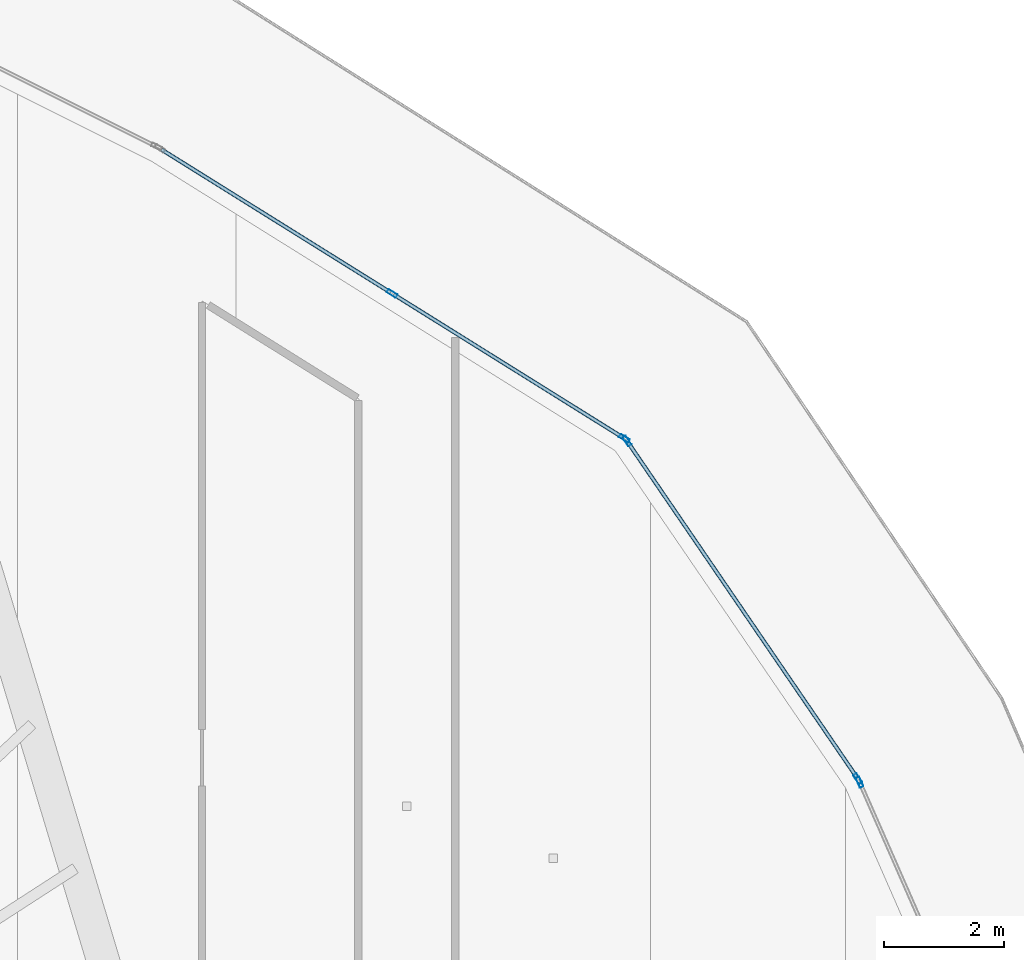
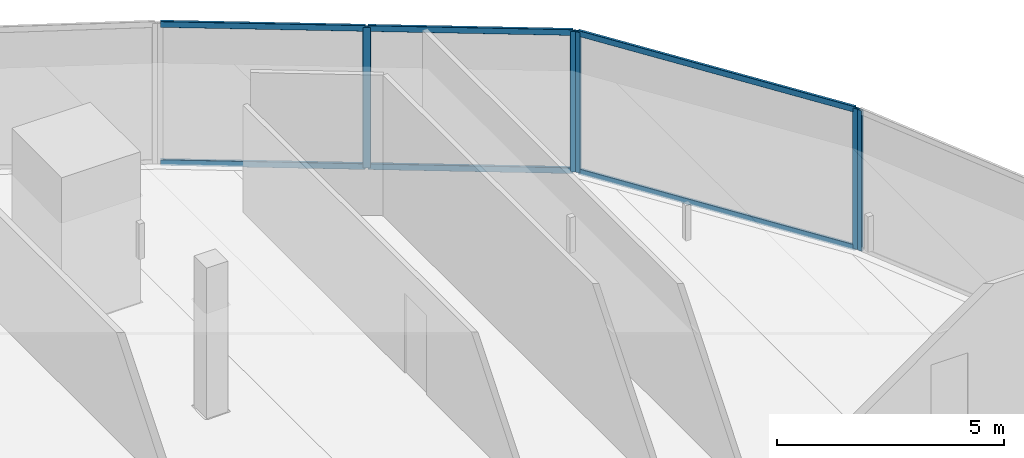
# One storey, part 21 of 35: 11 members, 3 elements without a shape of their own.
"""IFC4 building model written with IfcOpenShell, lengths in metres."""

from ifc_helpers import new_model, si_unit, direction, frame, origin, origin_2d, place, context, subcontext, project, spatial, hollow_rectangle, extrude, material, layer, layer_set, material_profile, profile_set, type_object, element, aggregate, save


model = new_model("IFC4")

# Units and contexts
model_context = context("Model", 3, precision=1e-05, world=origin(), true_north=direction((0.0, 1.0)))
body_context = subcontext(model_context, "Body", "Model", "MODEL_VIEW")
ifc_project = project(units=[si_unit("LENGTHUNIT", "METRE"), si_unit("AREAUNIT", "SQUARE_METRE"), si_unit("VOLUMEUNIT", "CUBIC_METRE"), si_unit("PLANEANGLEUNIT", "RADIAN"), si_unit("MASSUNIT", "GRAM", prefix="KILO")], contexts=[model_context])

# Site, building, storey
site_placement = place(None, origin())
site = spatial("IfcSite", under=ifc_project, at=site_placement, CompositionType="ELEMENT")
building_placement = place(site_placement, origin())
building = spatial("IfcBuilding", under=site, at=building_placement, Name="Qorvath Tower", CompositionType="ELEMENT")
storey_placement = place(building_placement, frame((0.0, 0.0, 130.050048828125)))
storey = spatial("IfcBuildingStorey", under=building, at=storey_placement, Name="L29", CompositionType="ELEMENT", Elevation=130.050048828125)

# Curtain wall, member
ifc_material_1 = material(Name="Anodised aluminium and triple low-E glass", Category="aluminium")
ifc_layer = layer(ifc_material_1, 0.179931640625)
ifc_layer_set = layer_set([ifc_layer], Name="CW-SYS-2")
curtain_wall_type = type_object("IfcCurtainWallType", Name="CW-SYS-2", PredefinedType="NOTDEFINED", material=ifc_layer_set)
curtain_wall_1_placement = place(storey_placement, origin())
curtain_wall_1 = element("IfcCurtainWall", 1, at=curtain_wall_1_placement, inside=storey, type_object=curtain_wall_type, Name="Curtain Wall CW-2 CW-T-L29-12.1", PredefinedType="NOTDEFINED")
ifc_material_2 = material(Name="Anodised aluminium 6063-T6", Category="aluminium")
ifc_material_profile_1 = material_profile(ifc_material_2, hollow_rectangle(XDim=0.06494140625, YDim=0.179931640625, WallThickness=0.00341796875, InnerFilletRadius=0.00341796875, OuterFilletRadius=0.007080078125, at=origin_2d()), Name="CWM 180x65")
ifc_profile_set_1 = profile_set([ifc_material_profile_1], Name="Anodised aluminium 6063-T6")
member_type_1 = type_object("IfcMemberType", Name="CWM-180", PredefinedType="MULLION", material=ifc_profile_set_1)
member_1_placement = place(storey_placement, frame((0.38525390625, 17.982666015625, 0.0), z_axis=(0.0, 0.0, 1.0), x_axis=(-0.915793818987, -0.401648703602, 0.0)))
member_1 = element("IfcMember", 2, at=member_1_placement, type_object=member_type_1, Name="CW-2 mullion 2", PredefinedType="MULLION", context=body_context, shape_type="SweptSolid", body=[
    extrude(hollow_rectangle(XDim=0.06494140625, YDim=0.179931640625, WallThickness=0.00341796875, InnerFilletRadius=0.00341796875, OuterFilletRadius=0.007080078125, at=origin_2d()), origin(), (0.0, 0.0, 1.0), 3.780029296875),
])
aggregate(curtain_wall_1, [member_1])

# Curtain wall, members
curtain_wall_2_placement = place(storey_placement, origin())
curtain_wall_2 = element("IfcCurtainWall", 3, at=curtain_wall_2_placement, inside=storey, type_object=curtain_wall_type, Name="Curtain Wall CW-2 CW-T-L29-13.1", PredefinedType="NOTDEFINED")
member_2_placement = place(storey_placement, frame((0.35400390625, 18.039306640625, 0.0), z_axis=(0.0, 0.0, 1.0), x_axis=(-0.825662865244, -0.564163835208, 0.0)))
member_2 = element("IfcMember", 4, at=member_2_placement, type_object=member_type_1, Name="CW-2 mullion 1", PredefinedType="MULLION", context=body_context, shape_type="SweptSolid", body=[
    extrude(hollow_rectangle(XDim=0.06494140625, YDim=0.179931640625, WallThickness=0.00341796875, InnerFilletRadius=0.00341796875, OuterFilletRadius=0.007080078125, at=origin_2d()), origin(), (0.0, 0.0, 1.0), 3.780029296875),
])
member_3_placement = place(storey_placement, frame((-3.5029296875, 23.683837890625, 0.0), z_axis=(0.0, 0.0, 1.0), x_axis=(-0.825662865244, -0.564163835208, 0.0)))
member_3 = element("IfcMember", 5, at=member_3_placement, type_object=member_type_1, Name="CW-2 mullion 2", PredefinedType="MULLION", context=body_context, shape_type="SweptSolid", body=[
    extrude(hollow_rectangle(XDim=0.06494140625, YDim=0.179931640625, WallThickness=0.00341796875, InnerFilletRadius=0.00341796875, OuterFilletRadius=0.007080078125, at=origin_2d()), origin(), (0.0, 0.0, 1.0), 3.780029296875),
])

curtain_wall_3_placement = place(storey_placement, origin())
curtain_wall_3 = element("IfcCurtainWall", 6, at=curtain_wall_3_placement, inside=storey, type_object=curtain_wall_type, Name="Curtain Wall CW-2 CW-T-L29-14.1", PredefinedType="NOTDEFINED")
member_4_placement = place(storey_placement, frame((-3.548828125, 23.72802734375, 0.0), z_axis=(0.0, 0.0, 1.0), x_axis=(-0.529503324069, -0.84830786263, 0.0)))
member_4 = element("IfcMember", 7, at=member_4_placement, type_object=member_type_1, Name="CW-2 mullion 1", PredefinedType="MULLION", context=body_context, shape_type="SweptSolid", body=[
    extrude(hollow_rectangle(XDim=0.06494140625, YDim=0.179931640625, WallThickness=0.00341796875, InnerFilletRadius=0.00341796875, OuterFilletRadius=0.007080078125, at=origin_2d()), origin(), (0.0, 0.0, 1.0), 3.780029296875),
])
member_5_placement = place(storey_placement, frame((-7.4296875, 26.150390625, 0.0), z_axis=(0.0, 0.0, 1.0), x_axis=(-0.529503324069, -0.84830786263, 0.0)))
member_5 = element("IfcMember", 8, at=member_5_placement, type_object=member_type_1, Name="CW-2 mullion 2", PredefinedType="MULLION", context=body_context, shape_type="SweptSolid", body=[
    extrude(hollow_rectangle(XDim=0.06494140625, YDim=0.179931640625, WallThickness=0.00341796875, InnerFilletRadius=0.00341796875, OuterFilletRadius=0.007080078125, at=origin_2d()), origin(), (0.0, 0.0, 1.0), 3.780029296875),
])

# Member
ifc_material_3 = material(Name="Anodised aluminium 6063-T6", Category="aluminium")
ifc_material_profile_2 = material_profile(ifc_material_3, hollow_rectangle(XDim=0.06494140625, YDim=0.159912109375, WallThickness=0.00341796875, InnerFilletRadius=0.00341796875, OuterFilletRadius=0.007080078125, at=origin_2d()), Name="CWT 160x65")
ifc_profile_set_2 = profile_set([ifc_material_profile_2], Name="Anodised aluminium 6063-T6")
member_type_2 = type_object("IfcMemberType", Name="CWT-160", PredefinedType="USERDEFINED", material=ifc_profile_set_2)
member_6_placement = place(storey_placement, frame((0.335693359375, 18.066162109375, 0.032470703125), z_axis=(-0.564182312323, 0.825650239788, 0.0), x_axis=(-0.825650239788, -0.564182312323, 0.0)))
member_6 = element("IfcMember", 9, at=member_6_placement, type_object=member_type_2, Name="CW-2 transom 1.1", ObjectType="TRANSOM", PredefinedType="USERDEFINED", context=body_context, shape_type="SweptSolid", body=[
    extrude(hollow_rectangle(XDim=0.06494140625, YDim=0.159912109375, WallThickness=0.00341796875, InnerFilletRadius=0.00341796875, OuterFilletRadius=0.007080078125, at=origin_2d()), origin(), (0.0, 0.0, 1.0), 6.771484375),
])

member_7_placement = place(storey_placement, frame((0.335693359375, 18.066162109375, 3.74755859375), z_axis=(-0.564182312323, 0.825650239788, 0.0), x_axis=(-0.825650239788, -0.564182312323, 0.0)))
member_7 = element("IfcMember", 10, at=member_7_placement, type_object=member_type_2, Name="CW-2 transom 1.2", ObjectType="TRANSOM", PredefinedType="USERDEFINED", context=body_context, shape_type="SweptSolid", body=[
    extrude(hollow_rectangle(XDim=0.06494140625, YDim=0.159912109375, WallThickness=0.00341796875, InnerFilletRadius=0.00341796875, OuterFilletRadius=0.007080078125, at=origin_2d()), origin(), (0.0, 0.0, 1.0), 6.771484375),
])

aggregate(curtain_wall_2, [member_2, member_3, member_6, member_7])

member_8_placement = place(storey_placement, frame((-3.576416015625, 23.7451171875, 0.032470703125), z_axis=(-0.848299237237, 0.529517142407, 0.0), x_axis=(-0.529517142407, -0.848299237237, 0.0)))
member_8 = element("IfcMember", 11, at=member_8_placement, type_object=member_type_2, Name="CW-2 transom 1.1", ObjectType="TRANSOM", PredefinedType="USERDEFINED", context=body_context, shape_type="SweptSolid", body=[
    extrude(hollow_rectangle(XDim=0.06494140625, YDim=0.159912109375, WallThickness=0.00341796875, InnerFilletRadius=0.00341796875, OuterFilletRadius=0.007080078125, at=origin_2d()), origin(), (0.0, 0.0, 1.0), 4.510009765625),
])

member_9_placement = place(storey_placement, frame((-3.576416015625, 23.7451171875, 3.74755859375), z_axis=(-0.848299237237, 0.529517142407, 0.0), x_axis=(-0.529517142407, -0.848299237237, 0.0)))
member_9 = element("IfcMember", 12, at=member_9_placement, type_object=member_type_2, Name="CW-2 transom 1.2", ObjectType="TRANSOM", PredefinedType="USERDEFINED", context=body_context, shape_type="SweptSolid", body=[
    extrude(hollow_rectangle(XDim=0.06494140625, YDim=0.159912109375, WallThickness=0.00341796875, InnerFilletRadius=0.00341796875, OuterFilletRadius=0.007080078125, at=origin_2d()), origin(), (0.0, 0.0, 1.0), 4.510009765625),
])

member_10_placement = place(storey_placement, frame((-7.457275390625, 26.167724609375, 0.032470703125), z_axis=(-0.848323552443, 0.52947818687, 0.0), x_axis=(-0.52947818687, -0.848323552443, 0.0)))
member_10 = element("IfcMember", 13, at=member_10_placement, type_object=member_type_2, Name="CW-2 transom 2.1", ObjectType="TRANSOM", PredefinedType="USERDEFINED", context=body_context, shape_type="SweptSolid", body=[
    extrude(hollow_rectangle(XDim=0.06494140625, YDim=0.159912109375, WallThickness=0.00341796875, InnerFilletRadius=0.00341796875, OuterFilletRadius=0.007080078125, at=origin_2d()), origin(), (0.0, 0.0, 1.0), 4.510009765625),
])

member_11_placement = place(storey_placement, frame((-7.457275390625, 26.167724609375, 3.74755859375), z_axis=(-0.848323552443, 0.52947818687, 0.0), x_axis=(-0.52947818687, -0.848323552443, 0.0)))
member_11 = element("IfcMember", 14, at=member_11_placement, type_object=member_type_2, Name="CW-2 transom 2.2", ObjectType="TRANSOM", PredefinedType="USERDEFINED", context=body_context, shape_type="SweptSolid", body=[
    extrude(hollow_rectangle(XDim=0.06494140625, YDim=0.159912109375, WallThickness=0.00341796875, InnerFilletRadius=0.00341796875, OuterFilletRadius=0.007080078125, at=origin_2d()), origin(), (0.0, 0.0, 1.0), 4.510009765625),
])

aggregate(curtain_wall_3, [member_4, member_5, member_8, member_9, member_10, member_11])

save(model, "model.ifc")
